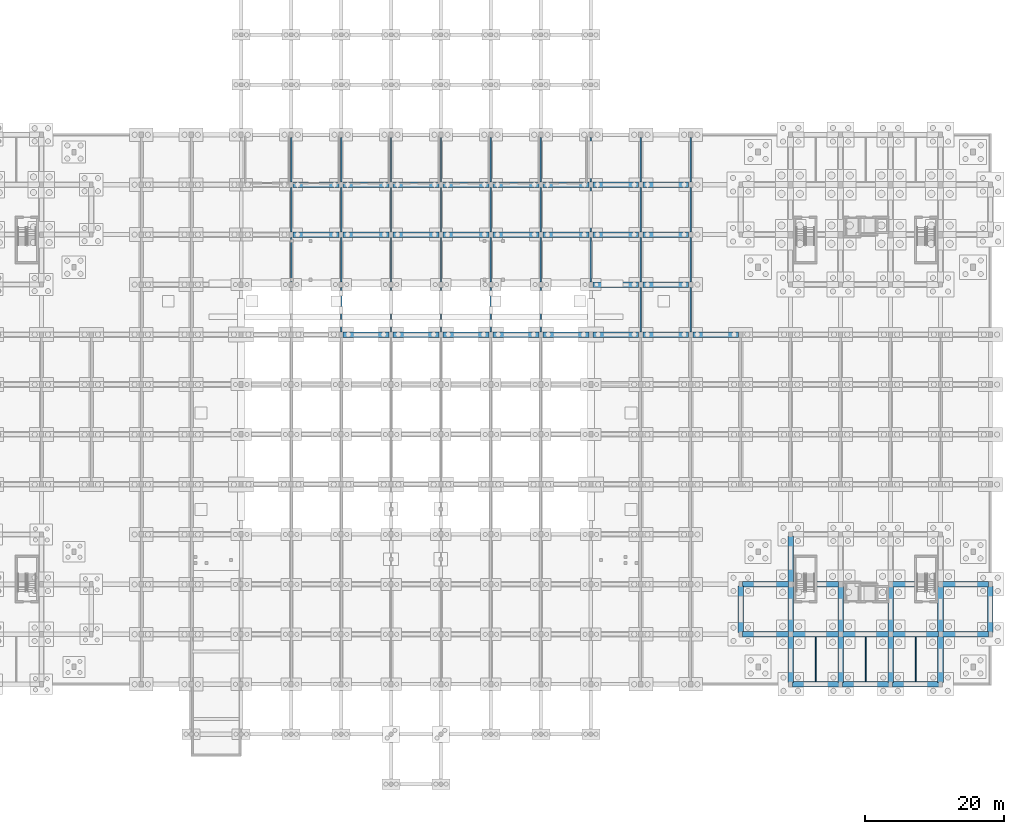
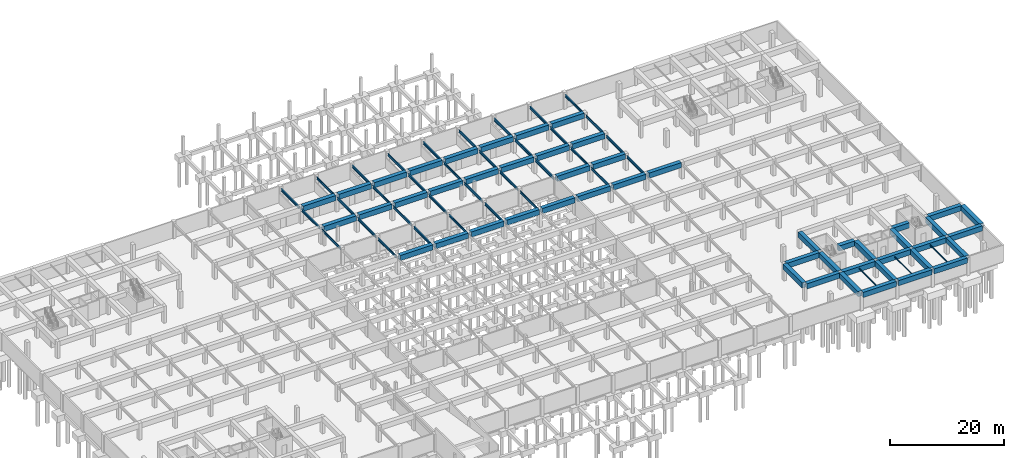
# One storey, part 21 of 36: 86 beams.
"""IFC4 building model written with IfcOpenShell, lengths in metres."""

import ifcopenshell
import ifcopenshell.guid

model = None  # the IFC model being written
_history = None  # IfcOwnerHistory: only IFC2X3 demands one
_inside = {}  # id of a spatial element -> (the spatial element, [elements in it])
_under = {}  # id of a project, library or spatial element -> (it, [spatial elements below it])
_declared = {}  # id of a project -> (the project, [libraries it declares])
_typed = {}  # id of a type object -> (the type object, [elements of that type])
_made_of = {}  # id of a material, layer set ... -> (it, [elements and type objects made of it])


def new_model(schema):
    """Start an empty IFC model of exactly this schema.

    Asked for "IFC4X3", IfcOpenShell would pick the latest addendum, in which some entities
    have other attributes; the version numbers below select the first issue.
    IFC2X3 requires an IfcOwnerHistory on every rooted entity: one is made here for all.
    """
    global model, _history
    if schema == "IFC4X3":
        model = ifcopenshell.file(schema_version=(4, 3, 0, 0))
    else:
        model = ifcopenshell.file(schema=schema)
    _inside.clear()
    _under.clear()
    _declared.clear()
    _typed.clear()
    _made_of.clear()
    _history = None
    if model.schema == "IFC2X3":
        org = make("IfcOrganization", Name="unknown")
        user = make(
            "IfcPersonAndOrganization",
            ThePerson=make("IfcPerson", FamilyName="unknown"),
            TheOrganization=org,
        )
        app = make(
            "IfcApplication",
            ApplicationDeveloper=org,
            Version="unknown",
            ApplicationFullName="unknown",
            ApplicationIdentifier="unknown",
        )
        _history = make(
            "IfcOwnerHistory",
            OwningUser=user,
            OwningApplication=app,
            ChangeAction="ADDED",
            CreationDate=0,
        )
    return model


def make(cls, **values):
    """One entity of the class cls with the attributes given. An attribute that is None is left unset."""
    return model.create_entity(
        cls, **{name: value for name, value in values.items() if value is not None}
    )


def rooted(cls, **values):
    """An entity with a GlobalId (a new one), such as an element, a storey or a relation."""
    return make(cls, GlobalId=ifcopenshell.guid.new(), OwnerHistory=_history, **values)


def si_unit(unit_type, name, prefix=None):
    """IfcSIUnit, for example si_unit("LENGTHUNIT", "METRE", prefix="MILLI")."""
    return make("IfcSIUnit", UnitType=unit_type, Prefix=prefix, Name=name)


def assignment(units):
    """IfcUnitAssignment: the units of a project."""
    return None if units is None else make("IfcUnitAssignment", Units=units)


def point(xyz):
    """IfcCartesianPoint."""
    return None if xyz is None else make("IfcCartesianPoint", Coordinates=xyz)


def direction(xyz):
    """IfcDirection."""
    return None if xyz is None else make("IfcDirection", DirectionRatios=xyz)


def frame(location, z_axis=None, x_axis=None):
    """IfcAxis2Placement3D, a coordinate frame: its origin and axes. An axis left out is left unset."""
    return make(
        "IfcAxis2Placement3D",
        Location=point(location),
        Axis=direction(z_axis),
        RefDirection=direction(x_axis),
    )


def frame_2d(location, x_axis=None):
    """IfcAxis2Placement2D, a coordinate frame in the plane: its origin and x axis."""
    return make(
        "IfcAxis2Placement2D", Location=point(location), RefDirection=direction(x_axis)
    )


def origin():
    """The frame at (0, 0, 0) with its axes left unset."""
    return frame((0.0, 0.0, 0.0))


def origin_2d():
    """The frame at (0, 0) in the plane with its x axis left unset."""
    return frame_2d((0.0, 0.0))


def place(relative_to, where):
    """IfcLocalPlacement: puts the frame where relative to a parent placement (None: the world)."""
    return make(
        "IfcLocalPlacement", PlacementRelTo=relative_to, RelativePlacement=where
    )


def context(
    kind, dimensions, precision=None, world=None, true_north=None, identifier=None
):
    """IfcGeometricRepresentationContext, for example the 3D "Model" context."""
    return make(
        "IfcGeometricRepresentationContext",
        ContextIdentifier=identifier,
        ContextType=kind,
        CoordinateSpaceDimension=dimensions,
        Precision=precision,
        WorldCoordinateSystem=world,
        TrueNorth=true_north,
    )


def subcontext(parent, identifier, kind, view, scale=None):
    """IfcGeometricRepresentationSubContext, for example "Body" below "Model"."""
    return make(
        "IfcGeometricRepresentationSubContext",
        ContextIdentifier=identifier,
        ContextType=kind,
        ParentContext=parent,
        TargetScale=scale,
        TargetView=view,
    )


def project(units=None, contexts=None):
    """IfcProject with its units and contexts."""
    return rooted(
        "IfcProject",
        Name="project",
        RepresentationContexts=contexts,
        UnitsInContext=assignment(units),
    )


def spatial(cls, under=None, at=None, **own):
    """A site, building, storey or space (cls), placed at a placement, below another one or the project."""
    s = rooted(cls, ObjectPlacement=at, **own)
    if under is not None:
        _under.setdefault(under.id(), (under, []))[1].append(s)
    return s


def profile(cls, at=None, kind="AREA", **sizes):
    """A parametric profile (cls). Its sizes go by their IFC names, for example OverallWidth=200.0."""
    return make(cls, ProfileType=kind, Position=at, **sizes)


def rectangle(**sizes):
    """IfcRectangleProfileDef."""
    return profile("IfcRectangleProfileDef", **sizes)


def i_section(**sizes):
    """IfcIShapeProfileDef."""
    return profile("IfcIShapeProfileDef", **sizes)


def extrude(swept, where, along, depth):
    """IfcExtrudedAreaSolid: the profile swept, set in the frame where, extruded along a direction by depth."""
    return make(
        "IfcExtrudedAreaSolid",
        SweptArea=swept,
        Position=where,
        ExtrudedDirection=direction(along),
        Depth=depth,
    )


def shape(context_of_items, identifier, shape_type, items):
    """IfcShapeRepresentation: the items that make up one representation, for example the "Body"."""
    return make(
        "IfcShapeRepresentation",
        ContextOfItems=context_of_items,
        RepresentationIdentifier=identifier,
        RepresentationType=shape_type,
        Items=items,
    )


def material(Name=None, Category=None):
    """IfcMaterial."""
    return make("IfcMaterial", Name=Name, Category=Category)


def material_profile(
    of_material, cross_section, Name=None, Category=None, Priority=None
):
    """IfcMaterialProfile: a cross section and its material."""
    return make(
        "IfcMaterialProfile",
        Name=Name,
        Material=of_material,
        Profile=cross_section,
        Priority=Priority,
        Category=Category,
    )


def profile_set(profiles, Name=None, composite=None):
    """IfcMaterialProfileSet."""
    return make(
        "IfcMaterialProfileSet",
        Name=Name,
        MaterialProfiles=profiles,
        CompositeProfile=composite,
    )


def made_of(thing, what):
    """Note that an element or type object is made of a material, layer set ...; save() writes the relation."""
    if what is not None:
        _made_of.setdefault(what.id(), (what, []))[1].append(thing)
    return thing


def type_object(cls, material=None, **own):
    """A type object (cls), such as IfcWallType, which elements share."""
    return made_of(rooted(cls, **own), material)


def element(
    cls,
    number,
    at=None,
    inside=None,
    cuts=None,
    type_object=None,
    material=None,
    context=None,
    identifier="Body",
    shape_type=None,
    held_by="IfcProductDefinitionShape",
    body=None,
    shapes=None,
    **own,
):
    """One element of the class cls, such as IfcWall. Its Tag is "e" and its number.

    at: its placement. inside: the storey or other place that contains it. cuts: it is an
    opening in that element (IfcRelVoidsElement). A single representation is given by context,
    identifier, shape_type and body (its items); several are given by shapes. held_by: the class
    of the entity that holds the representations. save() writes the other relations.
    """
    e = rooted(cls, Tag="e%d" % number, ObjectPlacement=at, **own)
    if body is not None:
        shapes = [shape(context, identifier, shape_type, body)]
    if shapes is not None:
        e.Representation = make(held_by, Representations=shapes)
    if inside is not None:
        _inside.setdefault(inside.id(), (inside, []))[1].append(e)
    if cuts is not None:
        rooted(
            "IfcRelVoidsElement", RelatingBuildingElement=cuts, RelatedOpeningElement=e
        )
    if type_object is not None:
        _typed.setdefault(type_object.id(), (type_object, []))[1].append(e)
    return made_of(e, material)


def aggregate(whole, parts):
    """IfcRelAggregates: a whole, such as a stair, and the parts it consists of."""
    return rooted("IfcRelAggregates", RelatingObject=whole, RelatedObjects=parts)


def save(model, path):
    """Write the relations noted so far, then the file.

    IfcRelAggregates (storeys below a building ...), IfcRelContainedInSpatialStructure (elements
    in a storey), IfcRelDefinesByType, IfcRelAssociatesMaterial and IfcRelDeclares: one each for
    every whole, place, type object, material and project.
    """
    for whole, parts in _under.values():
        aggregate(whole, parts)
    for where, things in _inside.values():
        rooted(
            "IfcRelContainedInSpatialStructure",
            RelatedElements=things,
            RelatingStructure=where,
        )
    for kind, things in _typed.values():
        rooted("IfcRelDefinesByType", RelatedObjects=things, RelatingType=kind)
    for what, things in _made_of.values():
        rooted("IfcRelAssociatesMaterial", RelatedObjects=things, RelatingMaterial=what)
    for by, libraries in _declared.values():
        rooted("IfcRelDeclares", RelatingContext=by, RelatedDefinitions=libraries)
    model.write(path)


model = new_model("IFC4")

# Units and contexts
model_context = context("Model", 3, precision=1e-05, world=origin(), true_north=direction((0.0, 1.0)))
body_context = subcontext(model_context, "Body", "Model", "MODEL_VIEW")
ifc_project = project(units=[si_unit("LENGTHUNIT", "METRE"), si_unit("AREAUNIT", "SQUARE_METRE"), si_unit("VOLUMEUNIT", "CUBIC_METRE"), si_unit("PLANEANGLEUNIT", "RADIAN"), si_unit("MASSUNIT", "GRAM", prefix="KILO")], contexts=[model_context])

# Site, building, storey
site_placement = place(None, origin())
site = spatial("IfcSite", under=ifc_project, at=site_placement, CompositionType="ELEMENT")
building_placement = place(site_placement, origin())
building = spatial("IfcBuilding", under=site, at=building_placement, Name="Ochrevale Crest", CompositionType="ELEMENT")
storey_placement = place(building_placement, frame((0.0, 0.0, -3.60009765625)))
storey = spatial("IfcBuildingStorey", under=building, at=storey_placement, Name="B1", CompositionType="ELEMENT", Elevation=-3.60009765625)

# Beams
ifc_material_1 = material(Name="Concrete C50/60", Category="concrete")
ifc_material_profile_1 = material_profile(ifc_material_1, rectangle(XDim=0.800048828125, YDim=1.10009765625, at=origin_2d()), Name="RC 800x1100")
ifc_profile_set_1 = profile_set([ifc_material_profile_1], Name="Concrete C50/60")
beam_type_1 = type_object("IfcBeamType", Name="BM-TG800x1100", PredefinedType="USERDEFINED", material=ifc_profile_set_1)
for number, where, z_axis, x_axis, name in (
    (1, (137.050048828125, 14.39990234375, 3.050048828125), (1.0, 0.0, 0.0), (0.0, 1.0, 0.0), "Block C B1 E-W beam Y=14.4"),
    (2, (144.25, 14.39990234375, 3.050048828125), (1.0, 0.0, 0.0), (0.0, 1.0, 0.0), "Block C B1 E-W beam Y=14.4"),
    (3, (151.449951171875, 14.39990234375, 3.050048828125), (1.0, 0.0, 0.0), (0.0, 1.0, 0.0), "Block C B1 E-W beam Y=14.4"),
):
    element("IfcBeam", number, at=place(storey_placement, frame(where, z_axis=z_axis, x_axis=x_axis)), inside=storey, type_object=beam_type_1, Name=name, ObjectType="GIRDER", PredefinedType="USERDEFINED", context=body_context, shape_type="SweptSolid", body=[
        extrude(rectangle(XDim=0.800048828125, YDim=1.10009765625, at=origin_2d()), origin(), (0.0, 0.0, 1.0), 6.699951171875),
    ])
beam_1_placement = place(storey_placement, frame((129.85009765625, 21.60009765625, 3.050048828125), z_axis=(1.0, 0.0, 0.0), x_axis=(0.0, 1.0, 0.0)))
element("IfcBeam", 4, at=beam_1_placement, inside=storey, type_object=beam_type_1, Name="Block C B1 E-W beam Y=21.6", ObjectType="GIRDER", PredefinedType="USERDEFINED", context=body_context, shape_type="SweptSolid", body=[
    extrude(rectangle(XDim=0.800048828125, YDim=1.10009765625, at=origin_2d()), origin(), (0.0, 0.0, 1.0), 6.64990234375),
])
for number, where, z_axis, x_axis, name in (
    (5, (137.10009765625, 21.60009765625, 3.050048828125), (1.0, 0.0, 0.0), (0.0, 1.0, 0.0), "Block C B1 E-W beam Y=21.6"),
    (6, (144.300048828125, 21.60009765625, 3.050048828125), (1.0, 0.0, 0.0), (0.0, 1.0, 0.0), "Block C B1 E-W beam Y=21.6"),
):
    element("IfcBeam", number, at=place(storey_placement, frame(where, z_axis=z_axis, x_axis=x_axis)), inside=storey, type_object=beam_type_1, Name=name, ObjectType="GIRDER", PredefinedType="USERDEFINED", context=body_context, shape_type="SweptSolid", body=[
        extrude(rectangle(XDim=0.800048828125, YDim=1.10009765625, at=origin_2d()), origin(), (0.0, 0.0, 1.0), 6.599853515625),
    ])
beam_2_placement = place(storey_placement, frame((151.5, 21.60009765625, 3.050048828125), z_axis=(1.0, 0.0, 0.0), x_axis=(0.0, 1.0, 0.0)))
element("IfcBeam", 7, at=beam_2_placement, inside=storey, type_object=beam_type_1, Name="Block C B1 E-W beam Y=21.6", ObjectType="GIRDER", PredefinedType="USERDEFINED", context=body_context, shape_type="SweptSolid", body=[
    extrude(rectangle(XDim=0.800048828125, YDim=1.10009765625, at=origin_2d()), origin(), (0.0, 0.0, 1.0), 6.60009765625),
])
beam_3_placement = place(storey_placement, frame((158.699951171875, 21.60009765625, 3.050048828125), z_axis=(1.0, 0.0, 0.0), x_axis=(0.0, 1.0, 0.0)))
element("IfcBeam", 8, at=beam_3_placement, inside=storey, type_object=beam_type_1, Name="Block C B1 E-W beam Y=21.6", ObjectType="GIRDER", PredefinedType="USERDEFINED", context=body_context, shape_type="SweptSolid", body=[
    extrude(rectangle(XDim=0.800048828125, YDim=1.10009765625, at=origin_2d()), origin(), (0.0, 0.0, 1.0), 6.650146484375),
])
beam_4_placement = place(storey_placement, frame((129.85009765625, 28.800048828125, 3.050048828125), z_axis=(1.0, 0.0, 0.0), x_axis=(0.0, 1.0, 0.0)))
element("IfcBeam", 9, at=beam_4_placement, inside=storey, type_object=beam_type_1, Name="Block C B1 E-W beam Y=28.8", ObjectType="GIRDER", PredefinedType="USERDEFINED", context=body_context, shape_type="SweptSolid", body=[
    extrude(rectangle(XDim=0.800048828125, YDim=1.10009765625, at=origin_2d()), origin(), (0.0, 0.0, 1.0), 6.64990234375),
])
beam_5_placement = place(storey_placement, frame((140.489990234375, 28.800048828125, 3.050048828125), z_axis=(1.0, 0.0, 0.0), x_axis=(0.0, 1.0, 0.0)))
element("IfcBeam", 10, at=beam_5_placement, inside=storey, type_object=beam_type_1, Name="Block C B1 E-W beam Y=28.8", ObjectType="GIRDER", PredefinedType="USERDEFINED", context=body_context, shape_type="SweptSolid", body=[
    extrude(rectangle(XDim=0.800048828125, YDim=1.10009765625, at=origin_2d()), origin(), (0.0, 0.0, 1.0), 3.2099609375),
])
beam_6_placement = place(storey_placement, frame((151.5, 28.800048828125, 3.050048828125), z_axis=(1.0, 0.0, 0.0), x_axis=(0.0, 1.0, 0.0)))
element("IfcBeam", 11, at=beam_6_placement, inside=storey, type_object=beam_type_1, Name="Block C B1 E-W beam Y=28.8", ObjectType="GIRDER", PredefinedType="USERDEFINED", context=body_context, shape_type="SweptSolid", body=[
    extrude(rectangle(XDim=0.800048828125, YDim=1.10009765625, at=origin_2d()), origin(), (0.0, 0.0, 1.0), 3.260009765625),
])
beam_7_placement = place(storey_placement, frame((158.699951171875, 28.800048828125, 3.050048828125), z_axis=(1.0, 0.0, 0.0), x_axis=(0.0, 1.0, 0.0)))
element("IfcBeam", 12, at=beam_7_placement, inside=storey, type_object=beam_type_1, Name="Block C B1 E-W beam Y=28.8", ObjectType="GIRDER", PredefinedType="USERDEFINED", context=body_context, shape_type="SweptSolid", body=[
    extrude(rectangle(XDim=0.800048828125, YDim=1.10009765625, at=origin_2d()), origin(), (0.0, 0.0, 1.0), 6.650146484375),
])
beam_8_placement = place(storey_placement, frame((129.60009765625, 21.85498046875, 3.050048828125), z_axis=(0.0, 1.0, 0.0), x_axis=(-1.0, 0.0, 0.0)))
element("IfcBeam", 13, at=beam_8_placement, inside=storey, type_object=beam_type_1, Name="Block C B1 N-S beam X=129.6", ObjectType="GIRDER", PredefinedType="USERDEFINED", context=body_context, shape_type="SweptSolid", body=[
    extrude(rectangle(XDim=0.800048828125, YDim=1.10009765625, at=origin_2d()), origin(), (0.0, 0.0, 1.0), 6.68994140625),
])
beam_9_placement = place(storey_placement, frame((136.800048828125, 14.655029296875, 3.050048828125), z_axis=(0.0, 1.0, 0.0), x_axis=(-1.0, 0.0, 0.0)))
element("IfcBeam", 14, at=beam_9_placement, inside=storey, type_object=beam_type_1, Name="Block C B1 N-S beam X=136.8", ObjectType="GIRDER", PredefinedType="USERDEFINED", context=body_context, shape_type="SweptSolid", body=[
    extrude(rectangle(XDim=0.800048828125, YDim=1.10009765625, at=origin_2d()), origin(), (0.0, 0.0, 1.0), 6.639892578125),
])
beam_10_placement = place(storey_placement, frame((136.800048828125, 21.905029296875, 3.050048828125), z_axis=(0.0, 1.0, 0.0), x_axis=(-1.0, 0.0, 0.0)))
element("IfcBeam", 15, at=beam_10_placement, inside=storey, type_object=beam_type_1, Name="Block C B1 N-S beam X=136.8", ObjectType="GIRDER", PredefinedType="USERDEFINED", context=body_context, shape_type="SweptSolid", body=[
    extrude(rectangle(XDim=0.800048828125, YDim=1.10009765625, at=origin_2d()), origin(), (0.0, 0.0, 1.0), 6.590087890625),
])
beam_11_placement = place(storey_placement, frame((136.800048828125, 29.10498046875, 3.050048828125), z_axis=(0.0, 1.0, 0.0), x_axis=(-1.0, 0.0, 0.0)))
element("IfcBeam", 16, at=beam_11_placement, inside=storey, type_object=beam_type_1, Name="Block C B1 N-S beam X=136.8", ObjectType="GIRDER", PredefinedType="USERDEFINED", context=body_context, shape_type="SweptSolid", body=[
    extrude(rectangle(XDim=0.800048828125, YDim=1.10009765625, at=origin_2d()), origin(), (0.0, 0.0, 1.0), 6.64013671875),
])
beam_12_placement = place(storey_placement, frame((144.0, 14.655029296875, 3.050048828125), z_axis=(0.0, 1.0, 0.0), x_axis=(-1.0, 0.0, 0.0)))
element("IfcBeam", 17, at=beam_12_placement, inside=storey, type_object=beam_type_1, Name="Block C B1 N-S beam X=144.0", ObjectType="GIRDER", PredefinedType="USERDEFINED", context=body_context, shape_type="SweptSolid", body=[
    extrude(rectangle(XDim=0.800048828125, YDim=1.10009765625, at=origin_2d()), origin(), (0.0, 0.0, 1.0), 6.639892578125),
])
beam_13_placement = place(storey_placement, frame((144.0, 21.905029296875, 3.050048828125), z_axis=(0.0, 1.0, 0.0), x_axis=(-1.0, 0.0, 0.0)))
element("IfcBeam", 18, at=beam_13_placement, inside=storey, type_object=beam_type_1, Name="Block C B1 N-S beam X=144.0", ObjectType="GIRDER", PredefinedType="USERDEFINED", context=body_context, shape_type="SweptSolid", body=[
    extrude(rectangle(XDim=0.800048828125, YDim=1.10009765625, at=origin_2d()), origin(), (0.0, 0.0, 1.0), 6.590087890625),
])
beam_14_placement = place(storey_placement, frame((151.199951171875, 14.655029296875, 3.050048828125), z_axis=(0.0, 1.0, 0.0), x_axis=(-1.0, 0.0, 0.0)))
element("IfcBeam", 19, at=beam_14_placement, inside=storey, type_object=beam_type_1, Name="Block C B1 N-S beam X=151.2", ObjectType="GIRDER", PredefinedType="USERDEFINED", context=body_context, shape_type="SweptSolid", body=[
    extrude(rectangle(XDim=0.800048828125, YDim=1.10009765625, at=origin_2d()), origin(), (0.0, 0.0, 1.0), 6.639892578125),
])
beam_15_placement = place(storey_placement, frame((151.199951171875, 21.905029296875, 3.050048828125), z_axis=(0.0, 1.0, 0.0), x_axis=(-1.0, 0.0, 0.0)))
element("IfcBeam", 20, at=beam_15_placement, inside=storey, type_object=beam_type_1, Name="Block C B1 N-S beam X=151.2", ObjectType="GIRDER", PredefinedType="USERDEFINED", context=body_context, shape_type="SweptSolid", body=[
    extrude(rectangle(XDim=0.800048828125, YDim=1.10009765625, at=origin_2d()), origin(), (0.0, 0.0, 1.0), 6.590087890625),
])
beam_16_placement = place(storey_placement, frame((158.39990234375, 14.655029296875, 3.050048828125), z_axis=(0.0, 1.0, 0.0), x_axis=(-1.0, 0.0, 0.0)))
element("IfcBeam", 21, at=beam_16_placement, inside=storey, type_object=beam_type_1, Name="Block C B1 N-S beam X=158.4", ObjectType="GIRDER", PredefinedType="USERDEFINED", context=body_context, shape_type="SweptSolid", body=[
    extrude(rectangle(XDim=0.800048828125, YDim=1.10009765625, at=origin_2d()), origin(), (0.0, 0.0, 1.0), 6.639892578125),
])
beam_17_placement = place(storey_placement, frame((158.39990234375, 21.905029296875, 3.050048828125), z_axis=(0.0, 1.0, 0.0), x_axis=(-1.0, 0.0, 0.0)))
element("IfcBeam", 22, at=beam_17_placement, inside=storey, type_object=beam_type_1, Name="Block C B1 N-S beam X=158.4", ObjectType="GIRDER", PredefinedType="USERDEFINED", context=body_context, shape_type="SweptSolid", body=[
    extrude(rectangle(XDim=0.800048828125, YDim=1.10009765625, at=origin_2d()), origin(), (0.0, 0.0, 1.0), 6.590087890625),
])
beam_18_placement = place(storey_placement, frame((165.60009765625, 21.85498046875, 3.050048828125), z_axis=(0.0, 1.0, 0.0), x_axis=(-1.0, 0.0, 0.0)))
element("IfcBeam", 23, at=beam_18_placement, inside=storey, type_object=beam_type_1, Name="Block C B1 N-S beam X=165.6", ObjectType="GIRDER", PredefinedType="USERDEFINED", context=body_context, shape_type="SweptSolid", body=[
    extrude(rectangle(XDim=0.800048828125, YDim=1.10009765625, at=origin_2d()), origin(), (0.0, 0.0, 1.0), 6.68994140625),
])
for number, where, z_axis, x_axis, name in (
    (24, (65.094970703125, 79.199951171875, 3.050048828125), (1.0, 0.0, 0.0), (0.0, 1.0, 0.0), "B1 podium primary girder (64.8,79.2)"),
    (25, (65.094970703125, 86.39990234375, 3.050048828125), (1.0, 0.0, 0.0), (0.0, 1.0, 0.0), "B1 podium primary girder (64.8,86.4)"),
    (26, (72.294921875, 64.800048828125, 3.050048828125), (1.0, 0.0, 0.0), (0.0, 1.0, 0.0), "B1 podium primary girder (72.0,64.8)"),
    (27, (72.294921875, 79.199951171875, 3.050048828125), (1.0, 0.0, 0.0), (0.0, 1.0, 0.0), "B1 podium primary girder (72.0,79.2)"),
    (28, (72.294921875, 86.39990234375, 3.050048828125), (1.0, 0.0, 0.0), (0.0, 1.0, 0.0), "B1 podium primary girder (72.0,86.4)"),
):
    element("IfcBeam", number, at=place(storey_placement, frame(where, z_axis=z_axis, x_axis=x_axis)), inside=storey, type_object=beam_type_1, Name=name, ObjectType="GIRDER", PredefinedType="USERDEFINED", context=body_context, shape_type="SweptSolid", body=[
        extrude(rectangle(XDim=0.800048828125, YDim=1.10009765625, at=origin_2d()), origin(), (0.0, 0.0, 1.0), 6.610107421875),
    ])
for number, where, z_axis, x_axis, name in (
    (29, (79.4951171875, 64.800048828125, 3.050048828125), (1.0, 0.0, 0.0), (0.0, 1.0, 0.0), "B1 podium primary girder (79.2,64.8)"),
    (30, (79.4951171875, 79.199951171875, 3.050048828125), (1.0, 0.0, 0.0), (0.0, 1.0, 0.0), "B1 podium primary girder (79.2,79.2)"),
    (31, (79.4951171875, 86.39990234375, 3.050048828125), (1.0, 0.0, 0.0), (0.0, 1.0, 0.0), "B1 podium primary girder (79.2,86.4)"),
    (32, (86.695068359375, 64.800048828125, 3.050048828125), (1.0, 0.0, 0.0), (0.0, 1.0, 0.0), "B1 podium primary girder (86.4,64.8)"),
    (33, (86.695068359375, 79.199951171875, 3.050048828125), (1.0, 0.0, 0.0), (0.0, 1.0, 0.0), "B1 podium primary girder (86.4,79.2)"),
    (34, (86.695068359375, 86.39990234375, 3.050048828125), (1.0, 0.0, 0.0), (0.0, 1.0, 0.0), "B1 podium primary girder (86.4,86.4)"),
    (35, (93.89501953125, 64.800048828125, 3.050048828125), (1.0, 0.0, 0.0), (0.0, 1.0, 0.0), "B1 podium primary girder (93.6,64.8)"),
    (36, (93.89501953125, 79.199951171875, 3.050048828125), (1.0, 0.0, 0.0), (0.0, 1.0, 0.0), "B1 podium primary girder (93.6,79.2)"),
    (37, (93.89501953125, 86.39990234375, 3.050048828125), (1.0, 0.0, 0.0), (0.0, 1.0, 0.0), "B1 podium primary girder (93.6,86.4)"),
):
    element("IfcBeam", number, at=place(storey_placement, frame(where, z_axis=z_axis, x_axis=x_axis)), inside=storey, type_object=beam_type_1, Name=name, ObjectType="GIRDER", PredefinedType="USERDEFINED", context=body_context, shape_type="SweptSolid", body=[
        extrude(rectangle(XDim=0.800048828125, YDim=1.10009765625, at=origin_2d()), origin(), (0.0, 0.0, 1.0), 6.60986328125),
    ])
for number, where, z_axis, x_axis, name in (
    (38, (101.094970703125, 64.800048828125, 3.050048828125), (1.0, 0.0, 0.0), (0.0, 1.0, 0.0), "B1 podium primary girder (100.8,64.8)"),
    (39, (101.094970703125, 79.199951171875, 3.050048828125), (1.0, 0.0, 0.0), (0.0, 1.0, 0.0), "B1 podium primary girder (100.8,79.2)"),
    (40, (101.094970703125, 86.39990234375, 3.050048828125), (1.0, 0.0, 0.0), (0.0, 1.0, 0.0), "B1 podium primary girder (100.8,86.4)"),
    (41, (108.294921875, 64.800048828125, 3.050048828125), (1.0, 0.0, 0.0), (0.0, 1.0, 0.0), "B1 podium primary girder (108.0,64.8)"),
    (42, (108.294921875, 72.0, 3.050048828125), (1.0, 0.0, 0.0), (0.0, 1.0, 0.0), "B1 podium primary girder (108.0,72.0)"),
    (43, (108.294921875, 79.199951171875, 3.050048828125), (1.0, 0.0, 0.0), (0.0, 1.0, 0.0), "B1 podium primary girder (108.0,79.2)"),
    (44, (108.294921875, 86.39990234375, 3.050048828125), (1.0, 0.0, 0.0), (0.0, 1.0, 0.0), "B1 podium primary girder (108.0,86.4)"),
):
    element("IfcBeam", number, at=place(storey_placement, frame(where, z_axis=z_axis, x_axis=x_axis)), inside=storey, type_object=beam_type_1, Name=name, ObjectType="GIRDER", PredefinedType="USERDEFINED", context=body_context, shape_type="SweptSolid", body=[
        extrude(rectangle(XDim=0.800048828125, YDim=1.10009765625, at=origin_2d()), origin(), (0.0, 0.0, 1.0), 6.610107421875),
    ])
for number, where, z_axis, x_axis, name in (
    (45, (115.4951171875, 64.800048828125, 3.050048828125), (1.0, 0.0, 0.0), (0.0, 1.0, 0.0), "B1 podium primary girder (115.2,64.8)"),
    (46, (115.4951171875, 72.0, 3.050048828125), (1.0, 0.0, 0.0), (0.0, 1.0, 0.0), "B1 podium primary girder (115.2,72.0)"),
    (47, (115.4951171875, 79.199951171875, 3.050048828125), (1.0, 0.0, 0.0), (0.0, 1.0, 0.0), "B1 podium primary girder (115.2,79.2)"),
    (48, (115.4951171875, 86.39990234375, 3.050048828125), (1.0, 0.0, 0.0), (0.0, 1.0, 0.0), "B1 podium primary girder (115.2,86.4)"),
    (49, (122.695068359375, 64.800048828125, 3.050048828125), (1.0, 0.0, 0.0), (0.0, 1.0, 0.0), "B1 podium primary girder (122.4,64.8)"),
):
    element("IfcBeam", number, at=place(storey_placement, frame(where, z_axis=z_axis, x_axis=x_axis)), inside=storey, type_object=beam_type_1, Name=name, ObjectType="GIRDER", PredefinedType="USERDEFINED", context=body_context, shape_type="SweptSolid", body=[
        extrude(rectangle(XDim=0.800048828125, YDim=1.10009765625, at=origin_2d()), origin(), (0.0, 0.0, 1.0), 6.60986328125),
    ])
ifc_material_2 = material(Name="Steel S355", Category="steel")
ifc_material_profile_2 = material_profile(ifc_material_2, i_section(OverallWidth=0.13330078125, OverallDepth=0.203125, WebThickness=0.005859375, FlangeThickness=0.0078125, FilletRadius=0.0087890625, at=origin_2d()), Name="200UB25.4")
ifc_profile_set_2 = profile_set([ifc_material_profile_2], Name="Steel S355")
beam_type_2 = type_object("IfcBeamType", Name="BM-UB200A", PredefinedType="JOIST", material=ifc_profile_set_2)
beam_19_placement = place(storey_placement, frame((140.39990234375, 14.7880859375, 3.173583984375), z_axis=(0.0, 1.0, 0.0), x_axis=(-1.0, 0.0, 0.0)))
element("IfcBeam", 50, at=beam_19_placement, inside=storey, type_object=beam_type_2, Name="Block C B1 composite plank trimmer beam 2", PredefinedType="JOIST", context=body_context, shape_type="SweptSolid", body=[
    extrude(i_section(OverallWidth=0.13330078125, OverallDepth=0.203125, WebThickness=0.005859375, FlangeThickness=0.0078125, FilletRadius=0.0087890625, at=origin_2d()), origin(), (0.0, 0.0, 1.0), 6.423828125),
])
ifc_material_profile_3 = material_profile(ifc_material_2, i_section(OverallWidth=0.134033203125, OverallDepth=0.20703125, WebThickness=0.00634765625, FlangeThickness=0.009521484375, FilletRadius=0.0087890625, at=origin_2d()), Name="200UB29.8")
ifc_profile_set_3 = profile_set([ifc_material_profile_3], Name="Steel S355")
beam_type_3 = type_object("IfcBeamType", Name="BM-UB200B", PredefinedType="JOIST", material=ifc_profile_set_3)
beam_20_placement = place(storey_placement, frame((147.60009765625, 14.7880859375, 3.171630859375), z_axis=(0.0, 1.0, 0.0), x_axis=(-1.0, 0.0, 0.0)))
element("IfcBeam", 51, at=beam_20_placement, inside=storey, type_object=beam_type_3, Name="Block C B1 composite plank trimmer beam 3", PredefinedType="JOIST", context=body_context, shape_type="SweptSolid", body=[
    extrude(i_section(OverallWidth=0.134033203125, OverallDepth=0.20703125, WebThickness=0.00634765625, FlangeThickness=0.009521484375, FilletRadius=0.0087890625, at=origin_2d()), origin(), (0.0, 0.0, 1.0), 6.423828125),
])
ifc_material_profile_4 = material_profile(ifc_material_2, i_section(OverallWidth=0.14599609375, OverallDepth=0.251708984375, WebThickness=0.006103515625, FlangeThickness=0.008544921875, FilletRadius=0.0087890625, at=origin_2d()), Name="250UB31.4")
ifc_profile_set_4 = profile_set([ifc_material_profile_4], Name="Steel S355")
beam_type_4 = type_object("IfcBeamType", Name="BM-UB250A", PredefinedType="JOIST", material=ifc_profile_set_4)
beam_21_placement = place(storey_placement, frame((154.800048828125, 14.7880859375, 3.1494140625), z_axis=(0.0, 1.0, 0.0), x_axis=(-1.0, 0.0, 0.0)))
element("IfcBeam", 52, at=beam_21_placement, inside=storey, type_object=beam_type_4, Name="Block C B1 composite plank trimmer beam 4", PredefinedType="JOIST", context=body_context, shape_type="SweptSolid", body=[
    extrude(i_section(OverallWidth=0.14599609375, OverallDepth=0.251708984375, WebThickness=0.006103515625, FlangeThickness=0.008544921875, FilletRadius=0.0087890625, at=origin_2d()), origin(), (0.0, 0.0, 1.0), 6.423828125),
])
ifc_material_profile_5 = material_profile(ifc_material_2, i_section(OverallWidth=0.208740234375, OverallDepth=0.5283203125, WebThickness=0.009521484375, FlangeThickness=0.01318359375, FilletRadius=0.013916015625, at=origin_2d()), Name="530UB82.0")
ifc_profile_set_5 = profile_set([ifc_material_profile_5], Name="Steel S355")
beam_type_5 = type_object("IfcBeamType", Name="BM-UB530", PredefinedType="USERDEFINED", material=ifc_profile_set_5)
for number, where, z_axis, x_axis, name in (
    (53, (64.800048828125, 72.39501953125, 2.916015625), (0.0, 1.0, 0.0), (-1.0, 0.0, 0.0), "B1 carpark steel girder (64.8,72.0)"),
    (54, (64.800048828125, 79.594970703125, 2.916015625), (0.0, 1.0, 0.0), (-1.0, 0.0, 0.0), "B1 carpark steel girder (64.8,79.2)"),
):
    element("IfcBeam", number, at=place(storey_placement, frame(where, z_axis=z_axis, x_axis=x_axis)), inside=storey, type_object=beam_type_5, Name=name, ObjectType="GIRDER", PredefinedType="USERDEFINED", context=body_context, shape_type="SweptSolid", body=[
        extrude(i_section(OverallWidth=0.208740234375, OverallDepth=0.5283203125, WebThickness=0.009521484375, FlangeThickness=0.01318359375, FilletRadius=0.013916015625, at=origin_2d()), origin(), (0.0, 0.0, 1.0), 6.409912109375),
    ])
beam_22_placement = place(storey_placement, frame((64.800048828125, 86.794921875, 2.916015625), z_axis=(0.0, 1.0, 0.0), x_axis=(-1.0, 0.0, 0.0)))
element("IfcBeam", 55, at=beam_22_placement, inside=storey, type_object=beam_type_5, Name="B1 carpark steel girder (64.8,86.4)", ObjectType="GIRDER", PredefinedType="USERDEFINED", context=body_context, shape_type="SweptSolid", body=[
    extrude(i_section(OverallWidth=0.208740234375, OverallDepth=0.5283203125, WebThickness=0.009521484375, FlangeThickness=0.01318359375, FilletRadius=0.013916015625, at=origin_2d()), origin(), (0.0, 0.0, 1.0), 6.41015625),
])
for number, where, z_axis, x_axis, name in (
    (56, (72.0, 65.195068359375, 2.916015625), (0.0, 1.0, 0.0), (-1.0, 0.0, 0.0), "B1 carpark steel girder (72.0,64.8)"),
    (57, (72.0, 72.39501953125, 2.916015625), (0.0, 1.0, 0.0), (-1.0, 0.0, 0.0), "B1 carpark steel girder (72.0,72.0)"),
    (58, (72.0, 79.594970703125, 2.916015625), (0.0, 1.0, 0.0), (-1.0, 0.0, 0.0), "B1 carpark steel girder (72.0,79.2)"),
):
    element("IfcBeam", number, at=place(storey_placement, frame(where, z_axis=z_axis, x_axis=x_axis)), inside=storey, type_object=beam_type_5, Name=name, ObjectType="GIRDER", PredefinedType="USERDEFINED", context=body_context, shape_type="SweptSolid", body=[
        extrude(i_section(OverallWidth=0.208740234375, OverallDepth=0.5283203125, WebThickness=0.009521484375, FlangeThickness=0.01318359375, FilletRadius=0.013916015625, at=origin_2d()), origin(), (0.0, 0.0, 1.0), 6.409912109375),
    ])
beam_23_placement = place(storey_placement, frame((72.0, 86.794921875, 2.916015625), z_axis=(0.0, 1.0, 0.0), x_axis=(-1.0, 0.0, 0.0)))
element("IfcBeam", 59, at=beam_23_placement, inside=storey, type_object=beam_type_5, Name="B1 carpark steel girder (72.0,86.4)", ObjectType="GIRDER", PredefinedType="USERDEFINED", context=body_context, shape_type="SweptSolid", body=[
    extrude(i_section(OverallWidth=0.208740234375, OverallDepth=0.5283203125, WebThickness=0.009521484375, FlangeThickness=0.01318359375, FilletRadius=0.013916015625, at=origin_2d()), origin(), (0.0, 0.0, 1.0), 6.41015625),
])
for number, where, z_axis, x_axis, name in (
    (60, (79.199951171875, 65.195068359375, 2.916015625), (0.0, 1.0, 0.0), (-1.0, 0.0, 0.0), "B1 carpark steel girder (79.2,64.8)"),
    (61, (79.199951171875, 72.39501953125, 2.916015625), (0.0, 1.0, 0.0), (-1.0, 0.0, 0.0), "B1 carpark steel girder (79.2,72.0)"),
    (62, (79.199951171875, 79.594970703125, 2.916015625), (0.0, 1.0, 0.0), (-1.0, 0.0, 0.0), "B1 carpark steel girder (79.2,79.2)"),
):
    element("IfcBeam", number, at=place(storey_placement, frame(where, z_axis=z_axis, x_axis=x_axis)), inside=storey, type_object=beam_type_5, Name=name, ObjectType="GIRDER", PredefinedType="USERDEFINED", context=body_context, shape_type="SweptSolid", body=[
        extrude(i_section(OverallWidth=0.208740234375, OverallDepth=0.5283203125, WebThickness=0.009521484375, FlangeThickness=0.01318359375, FilletRadius=0.013916015625, at=origin_2d()), origin(), (0.0, 0.0, 1.0), 6.409912109375),
    ])
beam_24_placement = place(storey_placement, frame((79.199951171875, 86.794921875, 2.916015625), z_axis=(0.0, 1.0, 0.0), x_axis=(-1.0, 0.0, 0.0)))
element("IfcBeam", 63, at=beam_24_placement, inside=storey, type_object=beam_type_5, Name="B1 carpark steel girder (79.2,86.4)", ObjectType="GIRDER", PredefinedType="USERDEFINED", context=body_context, shape_type="SweptSolid", body=[
    extrude(i_section(OverallWidth=0.208740234375, OverallDepth=0.5283203125, WebThickness=0.009521484375, FlangeThickness=0.01318359375, FilletRadius=0.013916015625, at=origin_2d()), origin(), (0.0, 0.0, 1.0), 6.41015625),
])
for number, where, z_axis, x_axis, name in (
    (64, (86.39990234375, 65.195068359375, 2.916015625), (0.0, 1.0, 0.0), (-1.0, 0.0, 0.0), "B1 carpark steel girder (86.4,64.8)"),
    (65, (86.39990234375, 72.39501953125, 2.916015625), (0.0, 1.0, 0.0), (-1.0, 0.0, 0.0), "B1 carpark steel girder (86.4,72.0)"),
    (66, (86.39990234375, 79.594970703125, 2.916015625), (0.0, 1.0, 0.0), (-1.0, 0.0, 0.0), "B1 carpark steel girder (86.4,79.2)"),
):
    element("IfcBeam", number, at=place(storey_placement, frame(where, z_axis=z_axis, x_axis=x_axis)), inside=storey, type_object=beam_type_5, Name=name, ObjectType="GIRDER", PredefinedType="USERDEFINED", context=body_context, shape_type="SweptSolid", body=[
        extrude(i_section(OverallWidth=0.208740234375, OverallDepth=0.5283203125, WebThickness=0.009521484375, FlangeThickness=0.01318359375, FilletRadius=0.013916015625, at=origin_2d()), origin(), (0.0, 0.0, 1.0), 6.409912109375),
    ])
beam_25_placement = place(storey_placement, frame((86.39990234375, 86.794921875, 2.916015625), z_axis=(0.0, 1.0, 0.0), x_axis=(-1.0, 0.0, 0.0)))
element("IfcBeam", 67, at=beam_25_placement, inside=storey, type_object=beam_type_5, Name="B1 carpark steel girder (86.4,86.4)", ObjectType="GIRDER", PredefinedType="USERDEFINED", context=body_context, shape_type="SweptSolid", body=[
    extrude(i_section(OverallWidth=0.208740234375, OverallDepth=0.5283203125, WebThickness=0.009521484375, FlangeThickness=0.01318359375, FilletRadius=0.013916015625, at=origin_2d()), origin(), (0.0, 0.0, 1.0), 6.41015625),
])
for number, where, z_axis, x_axis, name in (
    (68, (93.60009765625, 65.195068359375, 2.916015625), (0.0, 1.0, 0.0), (-1.0, 0.0, 0.0), "B1 carpark steel girder (93.6,64.8)"),
    (69, (93.60009765625, 72.39501953125, 2.916015625), (0.0, 1.0, 0.0), (-1.0, 0.0, 0.0), "B1 carpark steel girder (93.6,72.0)"),
    (70, (93.60009765625, 79.594970703125, 2.916015625), (0.0, 1.0, 0.0), (-1.0, 0.0, 0.0), "B1 carpark steel girder (93.6,79.2)"),
):
    element("IfcBeam", number, at=place(storey_placement, frame(where, z_axis=z_axis, x_axis=x_axis)), inside=storey, type_object=beam_type_5, Name=name, ObjectType="GIRDER", PredefinedType="USERDEFINED", context=body_context, shape_type="SweptSolid", body=[
        extrude(i_section(OverallWidth=0.208740234375, OverallDepth=0.5283203125, WebThickness=0.009521484375, FlangeThickness=0.01318359375, FilletRadius=0.013916015625, at=origin_2d()), origin(), (0.0, 0.0, 1.0), 6.409912109375),
    ])
beam_26_placement = place(storey_placement, frame((93.60009765625, 86.794921875, 2.916015625), z_axis=(0.0, 1.0, 0.0), x_axis=(-1.0, 0.0, 0.0)))
element("IfcBeam", 71, at=beam_26_placement, inside=storey, type_object=beam_type_5, Name="B1 carpark steel girder (93.6,86.4)", ObjectType="GIRDER", PredefinedType="USERDEFINED", context=body_context, shape_type="SweptSolid", body=[
    extrude(i_section(OverallWidth=0.208740234375, OverallDepth=0.5283203125, WebThickness=0.009521484375, FlangeThickness=0.01318359375, FilletRadius=0.013916015625, at=origin_2d()), origin(), (0.0, 0.0, 1.0), 6.41015625),
])
for number, where, z_axis, x_axis, name in (
    (72, (100.800048828125, 65.195068359375, 2.916015625), (0.0, 1.0, 0.0), (-1.0, 0.0, 0.0), "B1 carpark steel girder (100.8,64.8)"),
    (73, (100.800048828125, 72.39501953125, 2.916015625), (0.0, 1.0, 0.0), (-1.0, 0.0, 0.0), "B1 carpark steel girder (100.8,72.0)"),
    (74, (100.800048828125, 79.594970703125, 2.916015625), (0.0, 1.0, 0.0), (-1.0, 0.0, 0.0), "B1 carpark steel girder (100.8,79.2)"),
):
    element("IfcBeam", number, at=place(storey_placement, frame(where, z_axis=z_axis, x_axis=x_axis)), inside=storey, type_object=beam_type_5, Name=name, ObjectType="GIRDER", PredefinedType="USERDEFINED", context=body_context, shape_type="SweptSolid", body=[
        extrude(i_section(OverallWidth=0.208740234375, OverallDepth=0.5283203125, WebThickness=0.009521484375, FlangeThickness=0.01318359375, FilletRadius=0.013916015625, at=origin_2d()), origin(), (0.0, 0.0, 1.0), 6.409912109375),
    ])
beam_27_placement = place(storey_placement, frame((100.800048828125, 86.794921875, 2.916015625), z_axis=(0.0, 1.0, 0.0), x_axis=(-1.0, 0.0, 0.0)))
element("IfcBeam", 75, at=beam_27_placement, inside=storey, type_object=beam_type_5, Name="B1 carpark steel girder (100.8,86.4)", ObjectType="GIRDER", PredefinedType="USERDEFINED", context=body_context, shape_type="SweptSolid", body=[
    extrude(i_section(OverallWidth=0.208740234375, OverallDepth=0.5283203125, WebThickness=0.009521484375, FlangeThickness=0.01318359375, FilletRadius=0.013916015625, at=origin_2d()), origin(), (0.0, 0.0, 1.0), 6.41015625),
])
for number, where, z_axis, x_axis, name in (
    (76, (115.199951171875, 65.195068359375, 2.916015625), (0.0, 1.0, 0.0), (-1.0, 0.0, 0.0), "B1 carpark steel girder (115.2,64.8)"),
    (77, (115.199951171875, 72.39501953125, 2.916015625), (0.0, 1.0, 0.0), (-1.0, 0.0, 0.0), "B1 carpark steel girder (115.2,72.0)"),
    (78, (115.199951171875, 79.594970703125, 2.916015625), (0.0, 1.0, 0.0), (-1.0, 0.0, 0.0), "B1 carpark steel girder (115.2,79.2)"),
):
    element("IfcBeam", number, at=place(storey_placement, frame(where, z_axis=z_axis, x_axis=x_axis)), inside=storey, type_object=beam_type_5, Name=name, ObjectType="GIRDER", PredefinedType="USERDEFINED", context=body_context, shape_type="SweptSolid", body=[
        extrude(i_section(OverallWidth=0.208740234375, OverallDepth=0.5283203125, WebThickness=0.009521484375, FlangeThickness=0.01318359375, FilletRadius=0.013916015625, at=origin_2d()), origin(), (0.0, 0.0, 1.0), 6.409912109375),
    ])
beam_28_placement = place(storey_placement, frame((115.199951171875, 86.794921875, 2.916015625), z_axis=(0.0, 1.0, 0.0), x_axis=(-1.0, 0.0, 0.0)))
element("IfcBeam", 79, at=beam_28_placement, inside=storey, type_object=beam_type_5, Name="B1 carpark steel girder (115.2,86.4)", ObjectType="GIRDER", PredefinedType="USERDEFINED", context=body_context, shape_type="SweptSolid", body=[
    extrude(i_section(OverallWidth=0.208740234375, OverallDepth=0.5283203125, WebThickness=0.009521484375, FlangeThickness=0.01318359375, FilletRadius=0.013916015625, at=origin_2d()), origin(), (0.0, 0.0, 1.0), 6.41015625),
])
for number, where, z_axis, x_axis, name in (
    (80, (122.39990234375, 65.195068359375, 2.916015625), (0.0, 1.0, 0.0), (-1.0, 0.0, 0.0), "B1 carpark steel girder (122.4,64.8)"),
    (81, (122.39990234375, 72.39501953125, 2.916015625), (0.0, 1.0, 0.0), (-1.0, 0.0, 0.0), "B1 carpark steel girder (122.4,72.0)"),
    (82, (122.39990234375, 79.594970703125, 2.916015625), (0.0, 1.0, 0.0), (-1.0, 0.0, 0.0), "B1 carpark steel girder (122.4,79.2)"),
):
    element("IfcBeam", number, at=place(storey_placement, frame(where, z_axis=z_axis, x_axis=x_axis)), inside=storey, type_object=beam_type_5, Name=name, ObjectType="GIRDER", PredefinedType="USERDEFINED", context=body_context, shape_type="SweptSolid", body=[
        extrude(i_section(OverallWidth=0.208740234375, OverallDepth=0.5283203125, WebThickness=0.009521484375, FlangeThickness=0.01318359375, FilletRadius=0.013916015625, at=origin_2d()), origin(), (0.0, 0.0, 1.0), 6.409912109375),
    ])
beam_29_placement = place(storey_placement, frame((122.39990234375, 86.794921875, 2.916015625), z_axis=(0.0, 1.0, 0.0), x_axis=(-1.0, 0.0, 0.0)))
element("IfcBeam", 83, at=beam_29_placement, inside=storey, type_object=beam_type_5, Name="B1 carpark steel girder (122.4,86.4)", ObjectType="GIRDER", PredefinedType="USERDEFINED", context=body_context, shape_type="SweptSolid", body=[
    extrude(i_section(OverallWidth=0.208740234375, OverallDepth=0.5283203125, WebThickness=0.009521484375, FlangeThickness=0.01318359375, FilletRadius=0.013916015625, at=origin_2d()), origin(), (0.0, 0.0, 1.0), 6.41015625),
])
ifc_material_profile_6 = material_profile(ifc_material_2, i_section(OverallWidth=0.22900390625, OverallDepth=0.611572265625, WebThickness=0.011962890625, FlangeThickness=0.01953125, FilletRadius=0.013916015625, at=origin_2d()), Name="610UB125")
ifc_profile_set_6 = profile_set([ifc_material_profile_6], Name="Steel S355")
beam_type_6 = type_object("IfcBeamType", Name="BM-UB610B", PredefinedType="USERDEFINED", material=ifc_profile_set_6)
for number, where, z_axis, x_axis, name in (
    (84, (108.0, 72.39501953125, 2.874267578125), (0.0, 1.0, 0.0), (-1.0, 0.0, 0.0), "B1 carpark steel girder (108.0,72.0)"),
    (85, (108.0, 79.594970703125, 2.874267578125), (0.0, 1.0, 0.0), (-1.0, 0.0, 0.0), "B1 carpark steel girder (108.0,79.2)"),
):
    element("IfcBeam", number, at=place(storey_placement, frame(where, z_axis=z_axis, x_axis=x_axis)), inside=storey, type_object=beam_type_6, Name=name, ObjectType="GIRDER", PredefinedType="USERDEFINED", context=body_context, shape_type="SweptSolid", body=[
        extrude(i_section(OverallWidth=0.22900390625, OverallDepth=0.611572265625, WebThickness=0.011962890625, FlangeThickness=0.01953125, FilletRadius=0.013916015625, at=origin_2d()), origin(), (0.0, 0.0, 1.0), 6.409912109375),
    ])
beam_30_placement = place(storey_placement, frame((108.0, 86.794921875, 2.874267578125), z_axis=(0.0, 1.0, 0.0), x_axis=(-1.0, 0.0, 0.0)))
element("IfcBeam", 86, at=beam_30_placement, inside=storey, type_object=beam_type_6, Name="B1 carpark steel girder (108.0,86.4)", ObjectType="GIRDER", PredefinedType="USERDEFINED", context=body_context, shape_type="SweptSolid", body=[
    extrude(i_section(OverallWidth=0.22900390625, OverallDepth=0.611572265625, WebThickness=0.011962890625, FlangeThickness=0.01953125, FilletRadius=0.013916015625, at=origin_2d()), origin(), (0.0, 0.0, 1.0), 6.41015625),
])

save(model, "model.ifc")
